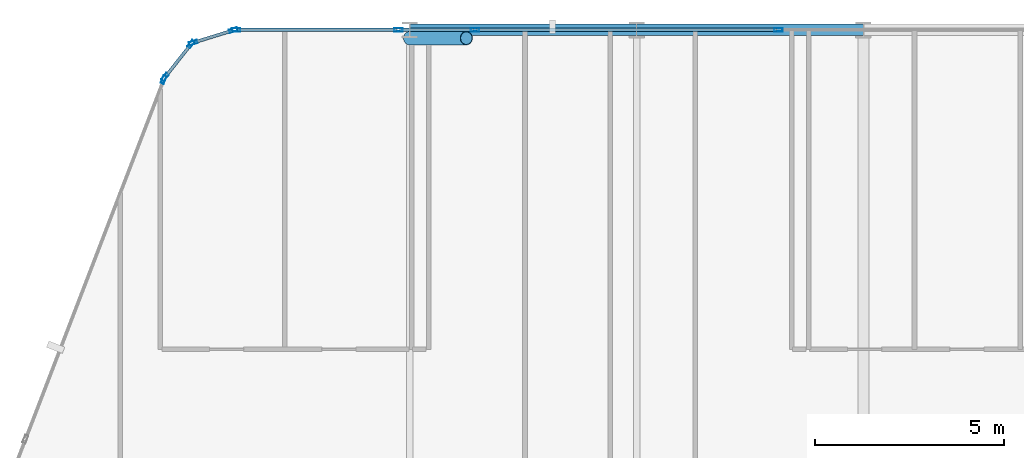
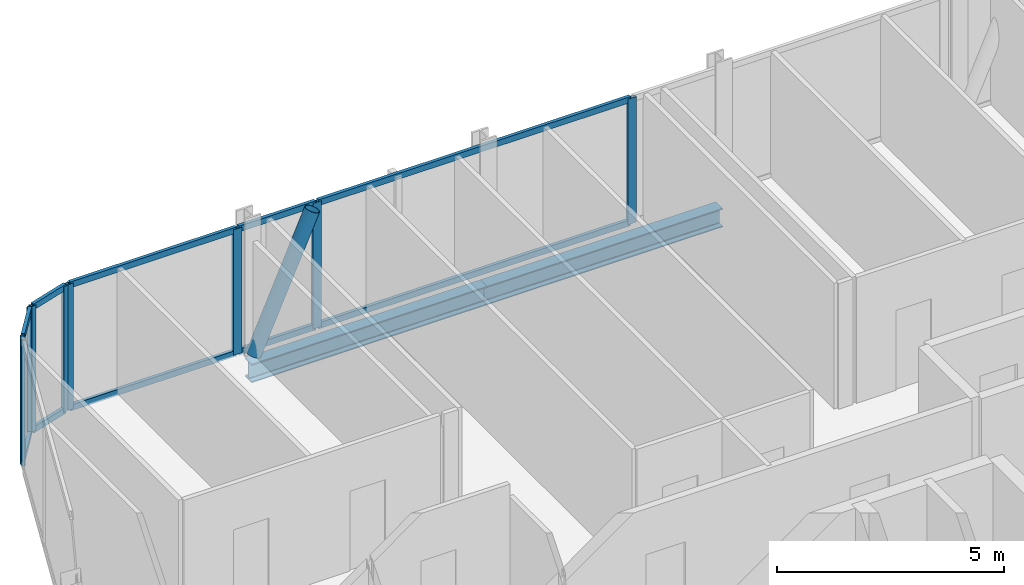
# One storey, part 13 of 34: 20 members, 2 beams, 6 elements without a shape of their own.
"""IFC4 building model written with IfcOpenShell, lengths in metres."""

from ifc_helpers import new_model, si_unit, direction, frame, origin, origin_2d, place, context, subcontext, project, spatial, hollow_rectangle, hollow_circle, i_section, extrude, material, layer, layer_set, material_profile, profile_set, type_object, element, aggregate, save


model = new_model("IFC4")

# Units and contexts
model_context = context("Model", 3, precision=1e-05, world=origin(), true_north=direction((0.0, 1.0)))
body_context = subcontext(model_context, "Body", "Model", "MODEL_VIEW")
ifc_project = project(units=[si_unit("LENGTHUNIT", "METRE"), si_unit("AREAUNIT", "SQUARE_METRE"), si_unit("VOLUMEUNIT", "CUBIC_METRE"), si_unit("PLANEANGLEUNIT", "RADIAN"), si_unit("MASSUNIT", "GRAM", prefix="KILO")], contexts=[model_context])

# Site, building, storey
site_placement = place(None, origin())
site = spatial("IfcSite", under=ifc_project, at=site_placement, CompositionType="ELEMENT")
building_placement = place(site_placement, origin())
building = spatial("IfcBuilding", under=site, at=building_placement, Name="Keshet Zoharim Tower", CompositionType="ELEMENT")
storey_placement = place(building_placement, frame((0.0, 0.0, 46.199951171875)))
storey = spatial("IfcBuildingStorey", under=building, at=storey_placement, Name="L10", CompositionType="ELEMENT", Elevation=46.199951171875)

# Beams
ifc_material_1 = material(Name="Steel S355", Category="steel")
ifc_material_profile_1 = material_profile(ifc_material_1, i_section(OverallWidth=0.300048828125, OverallDepth=0.5, WebThickness=0.014404296875, FlangeThickness=0.028076171875, FilletRadius=0.027099609375, at=origin_2d()), Name="HEB500")
ifc_profile_set_1 = profile_set([ifc_material_profile_1], Name="Steel S355")
beam_type = type_object("IfcBeamType", Name="BM-WEB-HB500", PredefinedType="BEAM", material=ifc_profile_set_1)
for number, where, z_axis, x_axis, name in (
    (1, (21.0, 53.89990234375, -0.56494140625), (1.0, 0.0, 0.0), (0.0, 1.0, 0.0), "L10 Primary Girder X-029"),
    (2, (27.0, 53.89990234375, -0.56494140625), (1.0, 0.0, 0.0), (0.0, 1.0, 0.0), "L10 Primary Girder X-030"),
):
    element("IfcBeam", number, at=place(storey_placement, frame(where, z_axis=z_axis, x_axis=x_axis)), inside=storey, type_object=beam_type, Name=name, PredefinedType="BEAM", context=body_context, shape_type="SweptSolid", body=[
        extrude(i_section(OverallWidth=0.300048828125, OverallDepth=0.5, WebThickness=0.014404296875, FlangeThickness=0.028076171875, FilletRadius=0.027099609375, at=origin_2d()), origin(), (0.0, 0.0, 1.0), 6.0),
    ])

# Curtain wall, member
ifc_material_2 = material(Name="Aluminium 6063-T6", Category="aluminium")
ifc_layer_1 = layer(ifc_material_2, 0.179931640625)
ifc_layer_set_1 = layer_set([ifc_layer_1], Name="Aluminium 6063-T6")
curtain_wall_type_1 = type_object("IfcCurtainWallType", Name="CW-SYS-01", PredefinedType="NOTDEFINED", material=ifc_layer_set_1)
curtain_wall_1_placement = place(storey_placement, origin())
curtain_wall_1 = element("IfcCurtainWall", 3, at=curtain_wall_1_placement, inside=storey, type_object=curtain_wall_type_1, Name="L10 Unitised Curtain Wall 04", PredefinedType="NOTDEFINED")
ifc_material_profile_2 = material_profile(ifc_material_2, hollow_rectangle(XDim=0.090087890625, YDim=0.219970703125, WallThickness=0.0048828125, at=origin_2d()), Name="MUL-90x220")
ifc_profile_set_2 = profile_set([ifc_material_profile_2], Name="Aluminium 6063-T6")
member_type_1 = type_object("IfcMemberType", Name="CWM-M22", PredefinedType="MULLION", material=ifc_profile_set_2)
member_1_placement = place(storey_placement, frame((14.494384765625, 52.58544921875, 0.0), z_axis=(0.0, 0.0, 1.0), x_axis=(-0.933341404361, 0.358990003907, 0.0)))
member_1 = element("IfcMember", 4, at=member_1_placement, type_object=member_type_1, Name="CW-01 mullion 4", PredefinedType="MULLION", context=body_context, shape_type="SweptSolid", body=[
    extrude(hollow_rectangle(XDim=0.090087890625, YDim=0.219970703125, WallThickness=0.0048828125, at=origin_2d()), origin(), (0.0, 0.0, 1.0), 3.385009765625),
])
aggregate(curtain_wall_1, [member_1])

# Curtain wall, members
curtain_wall_2_placement = place(storey_placement, origin())
curtain_wall_2 = element("IfcCurtainWall", 5, at=curtain_wall_2_placement, inside=storey, type_object=curtain_wall_type_1, Name="L10 Unitised Curtain Wall 05", PredefinedType="NOTDEFINED")
member_2_placement = place(storey_placement, frame((14.528564453125, 52.6455078125, 0.0), z_axis=(0.0, 0.0, 1.0), x_axis=(-0.785292825205, 0.619124525989, 0.0)))
member_2 = element("IfcMember", 6, at=member_2_placement, type_object=member_type_1, Name="CW-01 mullion 1", PredefinedType="MULLION", context=body_context, shape_type="SweptSolid", body=[
    extrude(hollow_rectangle(XDim=0.090087890625, YDim=0.219970703125, WallThickness=0.0048828125, at=origin_2d()), origin(), (0.0, 0.0, 1.0), 3.385009765625),
])
member_3_placement = place(storey_placement, frame((15.21923828125, 53.521484375, 0.0), z_axis=(0.0, 0.0, 1.0), x_axis=(-0.785292825205, 0.619124525989, 0.0)))
member_3 = element("IfcMember", 7, at=member_3_placement, type_object=member_type_1, Name="CW-01 mullion 2", PredefinedType="MULLION", context=body_context, shape_type="SweptSolid", body=[
    extrude(hollow_rectangle(XDim=0.090087890625, YDim=0.219970703125, WallThickness=0.0048828125, at=origin_2d()), origin(), (0.0, 0.0, 1.0), 3.385009765625),
])

curtain_wall_3_placement = place(storey_placement, origin())
curtain_wall_3 = element("IfcCurtainWall", 8, at=curtain_wall_3_placement, inside=storey, type_object=curtain_wall_type_1, Name="L10 Unitised Curtain Wall 06", PredefinedType="NOTDEFINED")
member_4_placement = place(storey_placement, frame((15.2744140625, 53.559326171875, 0.0), z_axis=(0.0, 0.0, 1.0), x_axis=(-0.295921857984, 0.955212151288, 0.0)))
member_4 = element("IfcMember", 9, at=member_4_placement, type_object=member_type_1, Name="CW-01 mullion 1", PredefinedType="MULLION", context=body_context, shape_type="SweptSolid", body=[
    extrude(hollow_rectangle(XDim=0.090087890625, YDim=0.219970703125, WallThickness=0.0048828125, at=origin_2d()), origin(), (0.0, 0.0, 1.0), 3.385009765625),
])
member_5_placement = place(storey_placement, frame((16.340576171875, 53.8896484375, 0.0), z_axis=(0.0, 0.0, 1.0), x_axis=(-0.295921857984, 0.955212151288, 0.0)))
member_5 = element("IfcMember", 10, at=member_5_placement, type_object=member_type_1, Name="CW-01 mullion 2", PredefinedType="MULLION", context=body_context, shape_type="SweptSolid", body=[
    extrude(hollow_rectangle(XDim=0.090087890625, YDim=0.219970703125, WallThickness=0.0048828125, at=origin_2d()), origin(), (0.0, 0.0, 1.0), 3.385009765625),
])

ifc_layer_2 = layer(ifc_material_2, 0.169921875)
ifc_layer_set_2 = layer_set([ifc_layer_2], Name="Aluminium 6063-T6")
curtain_wall_type_2 = type_object("IfcCurtainWallType", Name="CW-SYS-02", PredefinedType="NOTDEFINED", material=ifc_layer_set_2)
curtain_wall_4_placement = place(storey_placement, origin())
curtain_wall_4 = element("IfcCurtainWall", 11, at=curtain_wall_4_placement, inside=storey, type_object=curtain_wall_type_2, Name="L10 Unitised Curtain Wall 07", PredefinedType="NOTDEFINED")
member_6_placement = place(storey_placement, frame((16.408935546875, 53.89990234375, 0.0), z_axis=(0.0, 0.0, 1.0), x_axis=(0.0, 1.0, 0.0)))
member_6 = element("IfcMember", 12, at=member_6_placement, type_object=member_type_1, Name="CW-02 mullion 1", PredefinedType="MULLION", context=body_context, shape_type="SweptSolid", body=[
    extrude(hollow_rectangle(XDim=0.090087890625, YDim=0.219970703125, WallThickness=0.0048828125, at=origin_2d()), origin(), (0.0, 0.0, 1.0), 3.385009765625),
])
member_7_placement = place(storey_placement, frame((20.702392578125, 53.89990234375, 0.0), z_axis=(0.0, 0.0, 1.0), x_axis=(0.0, 1.0, 0.0)))
member_7 = element("IfcMember", 13, at=member_7_placement, type_object=member_type_1, Name="CW-02 mullion 2", PredefinedType="MULLION", context=body_context, shape_type="SweptSolid", body=[
    extrude(hollow_rectangle(XDim=0.090087890625, YDim=0.219970703125, WallThickness=0.0048828125, at=origin_2d()), origin(), (0.0, 0.0, 1.0), 3.385009765625),
])

# Curtain wall, member
curtain_wall_5_placement = place(storey_placement, origin())
curtain_wall_5 = element("IfcCurtainWall", 14, at=curtain_wall_5_placement, inside=storey, type_object=curtain_wall_type_2, Name="L10 Unitised Curtain Wall 07 Part 2", PredefinedType="NOTDEFINED")
member_8_placement = place(storey_placement, frame((22.7275390625, 53.89990234375, 0.0), z_axis=(0.0, 0.0, 1.0), x_axis=(0.0, 1.0, 0.0)))
member_8 = element("IfcMember", 15, at=member_8_placement, type_object=member_type_1, Name="CW-02 mullion 2", PredefinedType="MULLION", context=body_context, shape_type="SweptSolid", body=[
    extrude(hollow_rectangle(XDim=0.090087890625, YDim=0.219970703125, WallThickness=0.0048828125, at=origin_2d()), origin(), (0.0, 0.0, 1.0), 3.385009765625),
])

curtain_wall_6_placement = place(storey_placement, origin())
curtain_wall_6 = element("IfcCurtainWall", 16, at=curtain_wall_6_placement, inside=storey, type_object=curtain_wall_type_2, Name="L10 Unitised Curtain Wall 07 Part 3", PredefinedType="NOTDEFINED")
member_9_placement = place(storey_placement, frame((30.75, 53.89990234375, 0.0), z_axis=(0.0, 0.0, 1.0), x_axis=(0.0, 1.0, 0.0)))
member_9 = element("IfcMember", 17, at=member_9_placement, type_object=member_type_1, Name="CW-02 mullion 2", PredefinedType="MULLION", context=body_context, shape_type="SweptSolid", body=[
    extrude(hollow_rectangle(XDim=0.090087890625, YDim=0.219970703125, WallThickness=0.0048828125, at=origin_2d()), origin(), (0.0, 0.0, 1.0), 3.385009765625),
])

# Member
ifc_material_profile_3 = material_profile(ifc_material_2, hollow_rectangle(XDim=0.0849609375, YDim=0.159912109375, WallThickness=0.00439453125, at=origin_2d()), Name="TRN-85x160")
ifc_profile_set_3 = profile_set([ifc_material_profile_3], Name="Aluminium 6063-T6")
member_type_2 = type_object("IfcMemberType", Name="CWT-T16", PredefinedType="USERDEFINED", material=ifc_profile_set_3)
member_10_placement = place(storey_placement, frame((14.55029296875, 52.6728515625, 0.03515625), z_axis=(0.619099165969, 0.78531281837, 0.0), x_axis=(-0.78531281837, 0.619099165969, 0.0)))
member_10 = element("IfcMember", 18, at=member_10_placement, type_object=member_type_2, Name="CW-01 transom 1.1", ObjectType="TRANSOM", PredefinedType="USERDEFINED", context=body_context, shape_type="SweptSolid", body=[
    extrude(hollow_rectangle(XDim=0.0849609375, YDim=0.159912109375, WallThickness=0.00439453125, at=origin_2d()), origin(), (0.0, 0.0, 1.0), 1.0458984375),
])

member_11_placement = place(storey_placement, frame((14.55029296875, 52.6728515625, 3.35009765625), z_axis=(0.619099165969, 0.78531281837, 0.0), x_axis=(-0.78531281837, 0.619099165969, 0.0)))
member_11 = element("IfcMember", 19, at=member_11_placement, type_object=member_type_2, Name="CW-01 transom 1.2", ObjectType="TRANSOM", PredefinedType="USERDEFINED", context=body_context, shape_type="SweptSolid", body=[
    extrude(hollow_rectangle(XDim=0.0849609375, YDim=0.159912109375, WallThickness=0.00439453125, at=origin_2d()), origin(), (0.0, 0.0, 1.0), 1.0458984375),
])

aggregate(curtain_wall_2, [member_2, member_3, member_10, member_11])

member_12_placement = place(storey_placement, frame((15.307861328125, 53.56982421875, 0.03515625), z_axis=(0.955212093062, 0.295922045933, 0.0), x_axis=(-0.295922045933, 0.955212093062, 0.0)))
member_12 = element("IfcMember", 20, at=member_12_placement, type_object=member_type_2, Name="CW-01 transom 1.1", ObjectType="TRANSOM", PredefinedType="USERDEFINED", context=body_context, shape_type="SweptSolid", body=[
    extrude(hollow_rectangle(XDim=0.0849609375, YDim=0.159912109375, WallThickness=0.00439453125, at=origin_2d()), origin(), (0.0, 0.0, 1.0), 1.046142578125),
])

member_13_placement = place(storey_placement, frame((15.307861328125, 53.56982421875, 3.35009765625), z_axis=(0.955212093062, 0.295922045933, 0.0), x_axis=(-0.295922045933, 0.955212093062, 0.0)))
member_13 = element("IfcMember", 21, at=member_13_placement, type_object=member_type_2, Name="CW-01 transom 1.2", ObjectType="TRANSOM", PredefinedType="USERDEFINED", context=body_context, shape_type="SweptSolid", body=[
    extrude(hollow_rectangle(XDim=0.0849609375, YDim=0.159912109375, WallThickness=0.00439453125, at=origin_2d()), origin(), (0.0, 0.0, 1.0), 1.046142578125),
])

aggregate(curtain_wall_3, [member_4, member_5, member_12, member_13])

member_14_placement = place(storey_placement, frame((16.444091796875, 53.89990234375, 0.03515625), z_axis=(1.0, 0.0, 0.0), x_axis=(0.0, 1.0, 0.0)))
member_14 = element("IfcMember", 22, at=member_14_placement, type_object=member_type_2, Name="CW-02 transom 1.1", ObjectType="TRANSOM", PredefinedType="USERDEFINED", context=body_context, shape_type="SweptSolid", body=[
    extrude(hollow_rectangle(XDim=0.0849609375, YDim=0.159912109375, WallThickness=0.00439453125, at=origin_2d()), origin(), (0.0, 0.0, 1.0), 4.223388671875),
])

member_15_placement = place(storey_placement, frame((16.444091796875, 53.89990234375, 3.35009765625), z_axis=(1.0, 0.0, 0.0), x_axis=(0.0, 1.0, 0.0)))
member_15 = element("IfcMember", 23, at=member_15_placement, type_object=member_type_2, Name="CW-02 transom 1.2", ObjectType="TRANSOM", PredefinedType="USERDEFINED", context=body_context, shape_type="SweptSolid", body=[
    extrude(hollow_rectangle(XDim=0.0849609375, YDim=0.159912109375, WallThickness=0.00439453125, at=origin_2d()), origin(), (0.0, 0.0, 1.0), 4.223388671875),
])

aggregate(curtain_wall_4, [member_6, member_7, member_14, member_15])

member_16_placement = place(storey_placement, frame((20.7373046875, 53.89990234375, 0.03515625), z_axis=(1.0, 0.0, 0.0), x_axis=(0.0, 1.0, 0.0)))
member_16 = element("IfcMember", 24, at=member_16_placement, type_object=member_type_2, Name="CW-02 transom 1.1", ObjectType="TRANSOM", PredefinedType="USERDEFINED", context=body_context, shape_type="SweptSolid", body=[
    extrude(hollow_rectangle(XDim=0.0849609375, YDim=0.159912109375, WallThickness=0.00439453125, at=origin_2d()), origin(), (0.0, 0.0, 1.0), 1.955322265625),
])

member_17_placement = place(storey_placement, frame((20.7373046875, 53.89990234375, 3.35009765625), z_axis=(1.0, 0.0, 0.0), x_axis=(0.0, 1.0, 0.0)))
member_17 = element("IfcMember", 25, at=member_17_placement, type_object=member_type_2, Name="CW-02 transom 1.2", ObjectType="TRANSOM", PredefinedType="USERDEFINED", context=body_context, shape_type="SweptSolid", body=[
    extrude(hollow_rectangle(XDim=0.0849609375, YDim=0.159912109375, WallThickness=0.00439453125, at=origin_2d()), origin(), (0.0, 0.0, 1.0), 1.955322265625),
])

aggregate(curtain_wall_5, [member_8, member_16, member_17])

member_18_placement = place(storey_placement, frame((22.7626953125, 53.89990234375, 0.03515625), z_axis=(1.0, 0.0, 0.0), x_axis=(0.0, 1.0, 0.0)))
member_18 = element("IfcMember", 26, at=member_18_placement, type_object=member_type_2, Name="CW-02 transom 1.1", ObjectType="TRANSOM", PredefinedType="USERDEFINED", context=body_context, shape_type="SweptSolid", body=[
    extrude(hollow_rectangle(XDim=0.0849609375, YDim=0.159912109375, WallThickness=0.00439453125, at=origin_2d()), origin(), (0.0, 0.0, 1.0), 7.952392578125),
])

member_19_placement = place(storey_placement, frame((22.7626953125, 53.89990234375, 3.35009765625), z_axis=(1.0, 0.0, 0.0), x_axis=(0.0, 1.0, 0.0)))
member_19 = element("IfcMember", 27, at=member_19_placement, type_object=member_type_2, Name="CW-02 transom 1.2", ObjectType="TRANSOM", PredefinedType="USERDEFINED", context=body_context, shape_type="SweptSolid", body=[
    extrude(hollow_rectangle(XDim=0.0849609375, YDim=0.159912109375, WallThickness=0.00439453125, at=origin_2d()), origin(), (0.0, 0.0, 1.0), 7.952392578125),
])

aggregate(curtain_wall_6, [member_9, member_18, member_19])

ifc_material_profile_4 = material_profile(ifc_material_1, hollow_circle(Radius=0.177734375, WallThickness=0.012451171875, at=origin_2d()), Name="CHS355x12.5")
ifc_profile_set_4 = profile_set([ifc_material_profile_4], Name="Steel S355")
member_type_3 = type_object("IfcMemberType", Name="MB-BR-C355", PredefinedType="BRACE", material=ifc_profile_set_4)
member_20_placement = place(storey_placement, frame((21.0, 53.679931640625, 0.0), z_axis=(0.405134846829, 0.0, 0.91425694194), x_axis=(0.0, 1.0, 0.0)))
element("IfcMember", 28, at=member_20_placement, inside=storey, type_object=member_type_3, Name="L10 Perimeter Tube Brace 01", PredefinedType="BRACE", context=body_context, shape_type="SweptSolid", body=[
    extrude(hollow_circle(Radius=0.177734375, WallThickness=0.012451171875, at=origin_2d()), origin(), (0.0, 0.0, 1.0), 3.702392578125),
])

save(model, "model.ifc")
